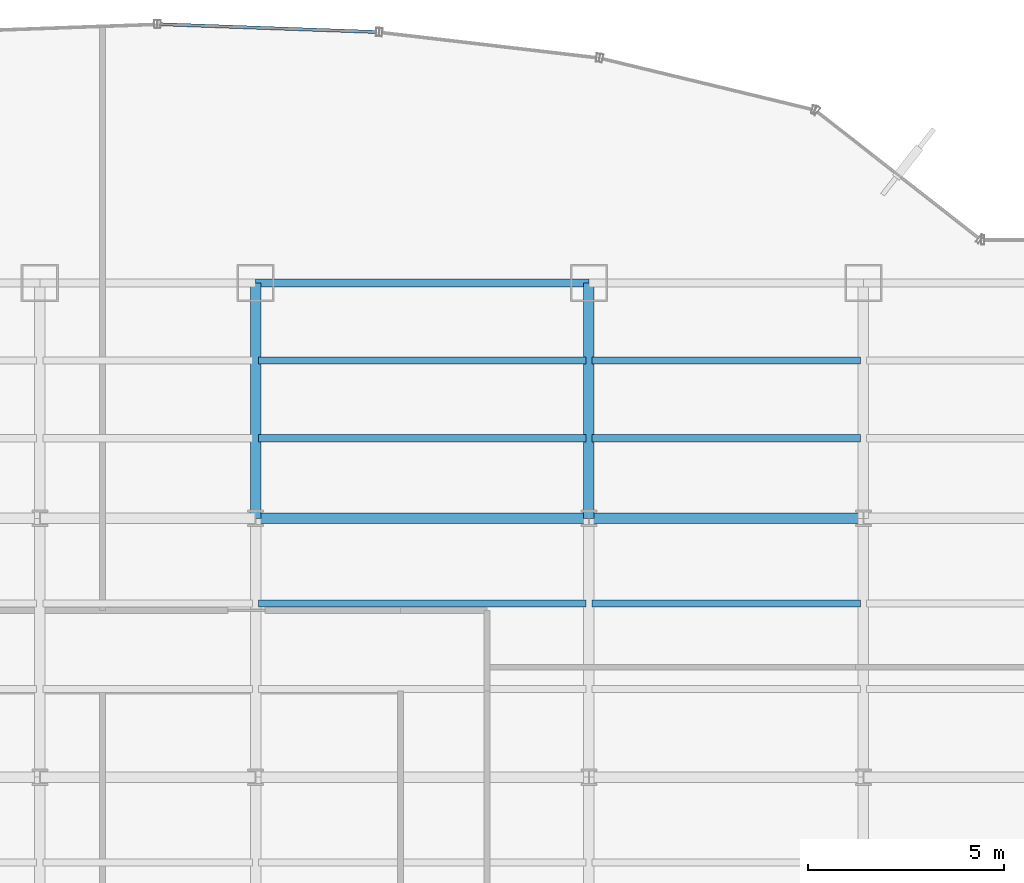
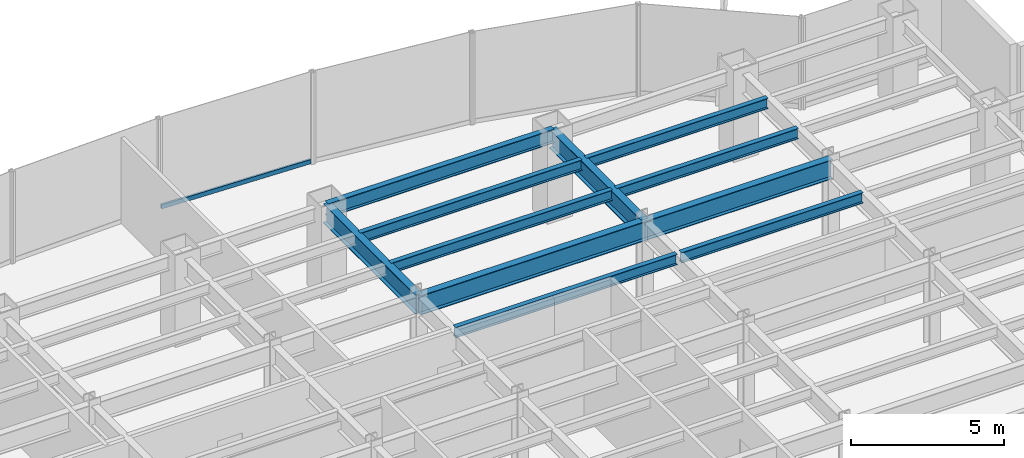
# One storey, part 14 of 23: 11 beams, 1 member, 1 element without a shape of its own.
"""IFC4 building model written with IfcOpenShell, lengths in metres."""

from ifc_helpers import new_model, si_unit, derived_unit, direction, frame, origin, origin_2d, place, context, subcontext, project, spatial, hollow_rectangle, i_section, extrude, source, transform, mapped, material, material_profile, profile_set, type_object, element, aggregate, save


model = new_model("IFC4")

# Units and contexts
model_context = context("Model", 3, precision=1e-05, world=origin(), true_north=direction((0.0, 1.0)))
body_context = subcontext(model_context, "Body", "Model", "MODEL_VIEW")
ifc_project = project(units=[si_unit("LENGTHUNIT", "METRE"), si_unit("AREAUNIT", "SQUARE_METRE"), si_unit("VOLUMEUNIT", "CUBIC_METRE"), si_unit("PLANEANGLEUNIT", "RADIAN"), si_unit("MASSUNIT", "GRAM", prefix="KILO"), derived_unit("THERMALTRANSMITTANCEUNIT", [(si_unit("POWERUNIT", "WATT"), 1), (si_unit("LENGTHUNIT", "METRE"), -2), (si_unit("THERMODYNAMICTEMPERATUREUNIT", "KELVIN"), -1)])], contexts=[model_context])

# Site, building, storey
site_placement = place(None, origin())
site = spatial("IfcSite", under=ifc_project, at=site_placement, CompositionType="ELEMENT")
building_placement = place(site_placement, origin())
building = spatial("IfcBuilding", under=site, at=building_placement, Name="Skarnbrae Concourse Arena and Tower", CompositionType="ELEMENT")
storey_placement = place(building_placement, frame((0.0, 0.0, 47.10009765625)))
storey = spatial("IfcBuildingStorey", under=building, at=storey_placement, Name="L10", CompositionType="ELEMENT", Elevation=47.10009765625)

# Beams
ifc_material_1 = material(Name="Steel CSA G40.21 350W", Category="steel")
ifc_material_profile_1 = material_profile(ifc_material_1, i_section(OverallWidth=0.26806640625, OverallDepth=0.77001953125, WebThickness=0.015625, FlangeThickness=0.025390625, at=origin_2d()), Name="W760X196")
ifc_profile_set_1 = profile_set([ifc_material_profile_1], Name="Steel CSA G40.21 350W")
beam_type_1 = type_object("IfcBeamType", Name="BM-GIRD-W760X196", PredefinedType="BEAM", material=ifc_profile_set_1)
shared_shape_1 = source(origin(), body_context, "Body", "SweptSolid", [
    extrude(i_section(OverallWidth=0.26806640625, OverallDepth=0.77001953125, WebThickness=0.015625, FlangeThickness=0.025390625, at=origin_2d()), origin(), (0.0, 0.0, 1.0), 7.0),
])
beam_1_placement = place(storey_placement, frame((42.0, 34.39990234375, 3.014892578125), z_axis=(1.0, 0.0, 0.0), x_axis=(0.0, 1.0, 0.0)))
element("IfcBeam", 1, at=beam_1_placement, inside=storey, type_object=beam_type_1, Name="L10 Primary E-W girder Y34.4-7", PredefinedType="BEAM", context=body_context, shape_type="MappedRepresentation", body=[
    mapped(shared_shape_1, transform((0.0, 0.0, 0.0))),
])
shared_shape_2 = source(origin(), body_context, "Body", "SweptSolid", [
    extrude(i_section(OverallWidth=0.26806640625, OverallDepth=0.77001953125, WebThickness=0.015625, FlangeThickness=0.025390625, at=origin_2d()), origin(), (0.0, 0.0, 1.0), 8.5),
])
beam_2_placement = place(storey_placement, frame((33.5, 34.39990234375, 3.014892578125), z_axis=(1.0, 0.0, 0.0), x_axis=(0.0, 1.0, 0.0)))
element("IfcBeam", 2, at=beam_2_placement, inside=storey, type_object=beam_type_1, Name="L10 Primary E-W girder Y34.4-6", PredefinedType="BEAM", context=body_context, shape_type="MappedRepresentation", body=[
    mapped(shared_shape_2, transform((0.0, 0.0, 0.0))),
])
shared_shape_3 = source(origin(), body_context, "Body", "SweptSolid", [
    extrude(i_section(OverallWidth=0.26806640625, OverallDepth=0.77001953125, WebThickness=0.015625, FlangeThickness=0.025390625, at=origin_2d()), origin(), (0.0, 0.0, 1.0), 6.0),
])
for number, where, z_axis, x_axis, name in (
    (3, (33.5, 34.39990234375, 3.014892578125), (0.0, 1.0, 0.0), (-1.0, 0.0, 0.0), "L10 Primary N-S girder X33.5-4"),
    (4, (42.0, 34.39990234375, 3.014892578125), (0.0, 1.0, 0.0), (-1.0, 0.0, 0.0), "L10 Primary N-S girder X42.0-5"),
):
    element("IfcBeam", number, at=place(storey_placement, frame(where, z_axis=z_axis, x_axis=x_axis)), inside=storey, type_object=beam_type_1, Name=name, PredefinedType="BEAM", context=body_context, shape_type="MappedRepresentation", body=[
        mapped(shared_shape_3, transform((0.0, 0.0, 0.0))),
    ])
ifc_material_profile_2 = material_profile(ifc_material_1, i_section(OverallWidth=0.214111328125, OverallDepth=0.549072265625, WebThickness=0.0146484375, FlangeThickness=0.023681640625, at=origin_2d()), Name="W530X138")
ifc_profile_set_2 = profile_set([ifc_material_profile_2], Name="Steel CSA G40.21 350W")
beam_type_2 = type_object("IfcBeamType", Name="BM-SPAN-W530X138", PredefinedType="SPANDREL", material=ifc_profile_set_2)
shared_shape_4 = source(origin(), body_context, "Body", "SweptSolid", [
    extrude(i_section(OverallWidth=0.214111328125, OverallDepth=0.549072265625, WebThickness=0.0146484375, FlangeThickness=0.023681640625, at=origin_2d()), origin(), (0.0, 0.0, 1.0), 8.5),
])
beam_3_placement = place(storey_placement, frame((33.5, 40.39990234375, 3.12548828125), z_axis=(1.0, 0.0, 0.0), x_axis=(0.0, 1.0, 0.0)))
element("IfcBeam", 5, at=beam_3_placement, inside=storey, type_object=beam_type_2, Name="L10 Perimeter spandrel Y40.4-5", PredefinedType="SPANDREL", context=body_context, shape_type="MappedRepresentation", body=[
    mapped(shared_shape_4, transform((0.0, 0.0, 0.0))),
])
ifc_material_profile_3 = material_profile(ifc_material_1, i_section(OverallWidth=0.180908203125, OverallDepth=0.4169921875, WebThickness=0.010986328125, FlangeThickness=0.018310546875, at=origin_2d()), Name="W410X85")
ifc_profile_set_3 = profile_set([ifc_material_profile_3], Name="Steel CSA G40.21 350W")
beam_type_3 = type_object("IfcBeamType", Name="BM-JOIST-W410X85", PredefinedType="JOIST", material=ifc_profile_set_3)
shared_shape_5 = source(origin(), body_context, "Body", "SweptSolid", [
    extrude(i_section(OverallWidth=0.180908203125, OverallDepth=0.4169921875, WebThickness=0.010986328125, FlangeThickness=0.018310546875, at=origin_2d()), origin(), (0.0, 0.0, 1.0), 8.33984375),
])
for number, where, z_axis, x_axis, name in (
    (6, (33.580078125, 32.221923828125, 3.19140625), (1.0, 0.0, 0.0), (0.0, 1.0, 0.0), "L10 Secondary floor joist 3.2.6"),
    (7, (33.580078125, 36.43994140625, 3.19140625), (1.0, 0.0, 0.0), (0.0, 1.0, 0.0), "L10 Secondary floor joist 4.1.5"),
    (8, (33.580078125, 38.419921875, 3.19140625), (1.0, 0.0, 0.0), (0.0, 1.0, 0.0), "L10 Secondary floor joist 4.2.5"),
):
    element("IfcBeam", number, at=place(storey_placement, frame(where, z_axis=z_axis, x_axis=x_axis)), inside=storey, type_object=beam_type_3, Name=name, PredefinedType="JOIST", context=body_context, shape_type="MappedRepresentation", body=[
        mapped(shared_shape_5, transform((0.0, 0.0, 0.0))),
    ])
shared_shape_6 = source(origin(), body_context, "Body", "SweptSolid", [
    extrude(i_section(OverallWidth=0.180908203125, OverallDepth=0.4169921875, WebThickness=0.010986328125, FlangeThickness=0.018310546875, at=origin_2d()), origin(), (0.0, 0.0, 1.0), 6.83984375),
])
for number, where, z_axis, x_axis, name in (
    (9, (42.080078125, 32.221923828125, 3.19140625), (1.0, 0.0, 0.0), (0.0, 1.0, 0.0), "L10 Secondary floor joist 3.2.7"),
    (10, (42.080078125, 36.43994140625, 3.19140625), (1.0, 0.0, 0.0), (0.0, 1.0, 0.0), "L10 Secondary floor joist 4.1.6"),
    (11, (42.080078125, 38.419921875, 3.19140625), (1.0, 0.0, 0.0), (0.0, 1.0, 0.0), "L10 Secondary floor joist 4.2.6"),
):
    element("IfcBeam", number, at=place(storey_placement, frame(where, z_axis=z_axis, x_axis=x_axis)), inside=storey, type_object=beam_type_3, Name=name, PredefinedType="JOIST", context=body_context, shape_type="MappedRepresentation", body=[
        mapped(shared_shape_6, transform((0.0, 0.0, 0.0))),
    ])

# Curtain wall, member
ifc_material_2 = material(Name="Bronze anodised aluminium 6063-T6", Category="aluminium")
curtain_wall_type = type_object("IfcCurtainWallType", Name="CW-SYS-03-PORTAL", PredefinedType="USERDEFINED", material=ifc_material_2)
curtain_wall_placement = place(storey_placement, origin())
curtain_wall = element("IfcCurtainWall", 12, at=curtain_wall_placement, inside=storey, type_object=curtain_wall_type, Name="L10 Unitised curtain wall CW-L10-E11", ObjectType="UNITISED CURTAIN WALL", PredefinedType="USERDEFINED")
ifc_material_profile_4 = material_profile(ifc_material_2, hollow_rectangle(XDim=0.080078125, YDim=0.169921875, WallThickness=0.00439453125, at=origin_2d()), Name="ALU-TRAN-80X170")
ifc_profile_set_4 = profile_set([ifc_material_profile_4], Name="Bronze anodised aluminium 6063-T6")
member_type = type_object("IfcMemberType", Name="CWT-CW-03", PredefinedType="USERDEFINED", material=ifc_profile_set_4)
shared_shape_7 = source(origin(), body_context, "Body", "SweptSolid", [
    extrude(hollow_rectangle(XDim=0.080078125, YDim=0.169921875, WallThickness=0.00439453125, at=origin_2d()), origin(), (0.0, 0.0, 1.0), 5.497802734375),
])
member_placement = place(storey_placement, frame((36.573974609375, 46.7998046875, 0.0849609375), z_axis=(-0.999356047798, 0.03588160712, 0.0), x_axis=(-0.03588160712, -0.999356047798, 0.0)))
member = element("IfcMember", 13, at=member_placement, type_object=member_type, Name="CW-L10-E11 Transom 1", ObjectType="TRANSOM", PredefinedType="USERDEFINED", context=body_context, shape_type="MappedRepresentation", body=[
    mapped(shared_shape_7, transform((0.0, 0.0, 0.0))),
])
aggregate(curtain_wall, [member])

save(model, "model.ifc")
